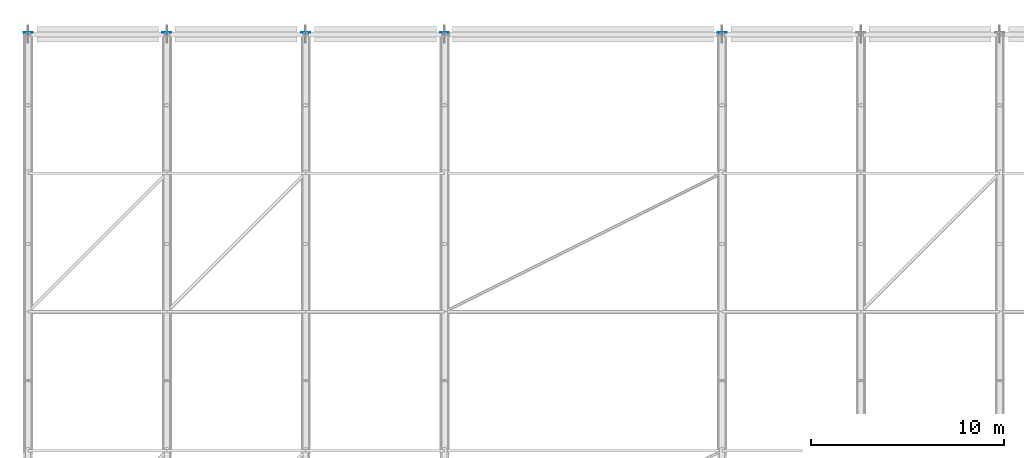
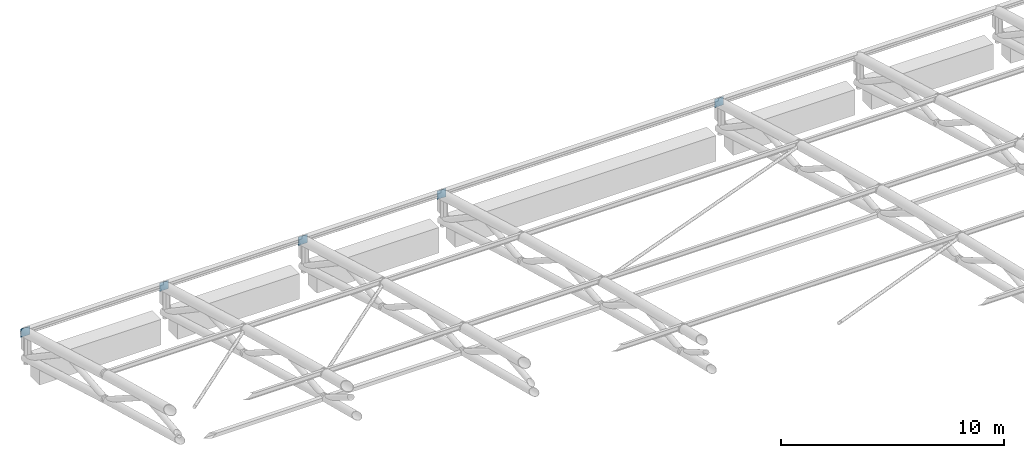
# One storey, part 132 of 193: 5 plates.
"""IFC4 building model written with IfcOpenShell, lengths in metres."""

from ifc_helpers import new_model, si_unit, direction, frame, origin, origin_2d, place, context, subcontext, project, spatial, rectangle, extrude, material, layer, layer_set, type_object, element, save


model = new_model("IFC4")

# Units and contexts
model_context = context("Model", 3, precision=1e-05, world=origin(), true_north=direction((0.0, 1.0)))
body_context = subcontext(model_context, "Body", "Model", "MODEL_VIEW")
ifc_project = project(units=[si_unit("LENGTHUNIT", "METRE"), si_unit("AREAUNIT", "SQUARE_METRE"), si_unit("VOLUMEUNIT", "CUBIC_METRE"), si_unit("PLANEANGLEUNIT", "RADIAN"), si_unit("MASSUNIT", "GRAM", prefix="KILO")], contexts=[model_context])

# Site, building, storey
site_placement = place(None, origin())
site = spatial("IfcSite", under=ifc_project, at=site_placement, CompositionType="ELEMENT")
building_placement = place(site_placement, origin())
building = spatial("IfcBuilding", under=site, at=building_placement, Name="Cendralis Lancet Convention Centre", CompositionType="ELEMENT")
storey_placement = place(building_placement, frame((0.0, 0.0, 10.199951171875)))
storey = spatial("IfcBuildingStorey", under=building, at=storey_placement, Name="L02", CompositionType="ELEMENT", Elevation=10.199951171875)

# Plates
ifc_material = material(Name="Steel S355", Category="steel")
ifc_layer = layer(ifc_material, 0.02001953125, Name="Steel S355")
ifc_layer_set = layer_set([ifc_layer], Name="Steel S355")
plate_type = type_object("IfcPlateType", Name="STR-PL-EC20", PredefinedType="USERDEFINED", material=ifc_layer_set)
for number, where, z_axis, x_axis, name in (
    (1, (0.0, 136.889892578125, 3.3701171875), (0.0, 0.0, 1.0), (1.0, 0.0, 0.0), "Truss End Cap Plate EC-20 AT-V1-01-CAPN"),
    (2, (7.199951171875, 136.889892578125, 3.3701171875), (0.0, 0.0, 1.0), (1.0, 0.0, 0.0), "Truss End Cap Plate EC-20 AT-V1-02-CAPN"),
    (3, (14.39990234375, 136.889892578125, 3.3701171875), (0.0, 0.0, 1.0), (1.0, 0.0, 0.0), "Truss End Cap Plate EC-20 AT-V1-03-CAPN"),
    (4, (21.60009765625, 136.889892578125, 3.3701171875), (0.0, 0.0, 1.0), (1.0, 0.0, 0.0), "Truss End Cap Plate EC-20 AT-V1-04-CAPN"),
    (5, (36.0, 136.889892578125, 3.3701171875), (0.0, 0.0, 1.0), (1.0, 0.0, 0.0), "Truss End Cap Plate EC-20 AT-V1-05-CAPN"),
):
    element("IfcPlate", number, at=place(storey_placement, frame(where, z_axis=z_axis, x_axis=x_axis)), inside=storey, type_object=plate_type, Name=name, ObjectType="GUSSET PLATE", PredefinedType="USERDEFINED", context=body_context, shape_type="SweptSolid", body=[
        extrude(rectangle(XDim=0.4599609375, YDim=0.02001953125, at=origin_2d()), origin(), (0.0, 0.0, 1.0), 0.4599609375),
    ])

save(model, "model.ifc")
